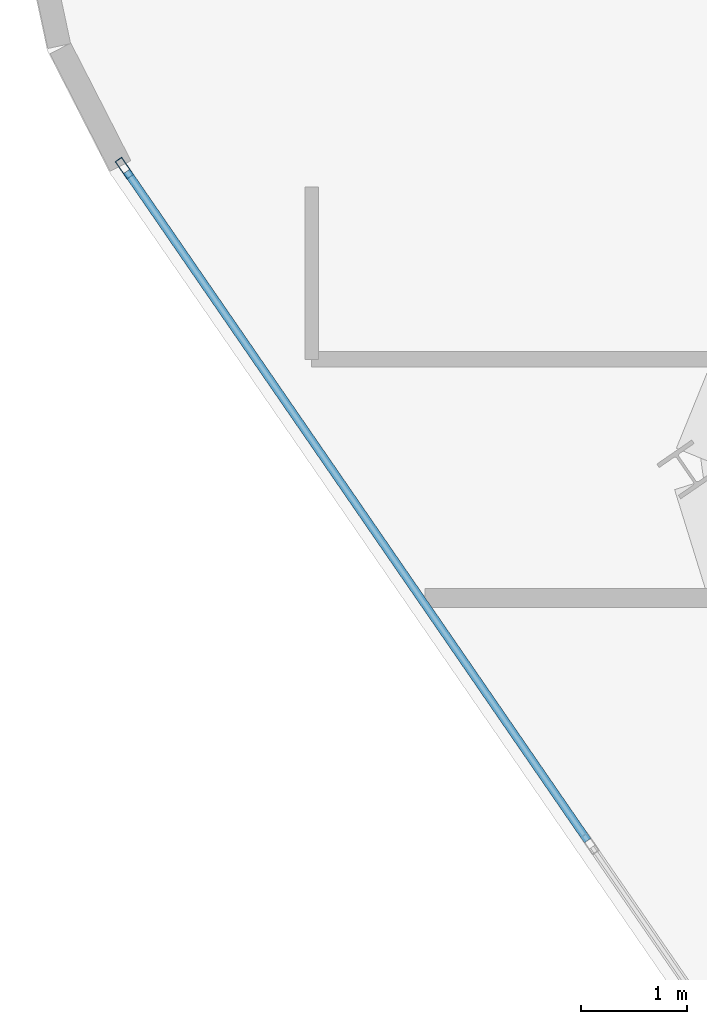
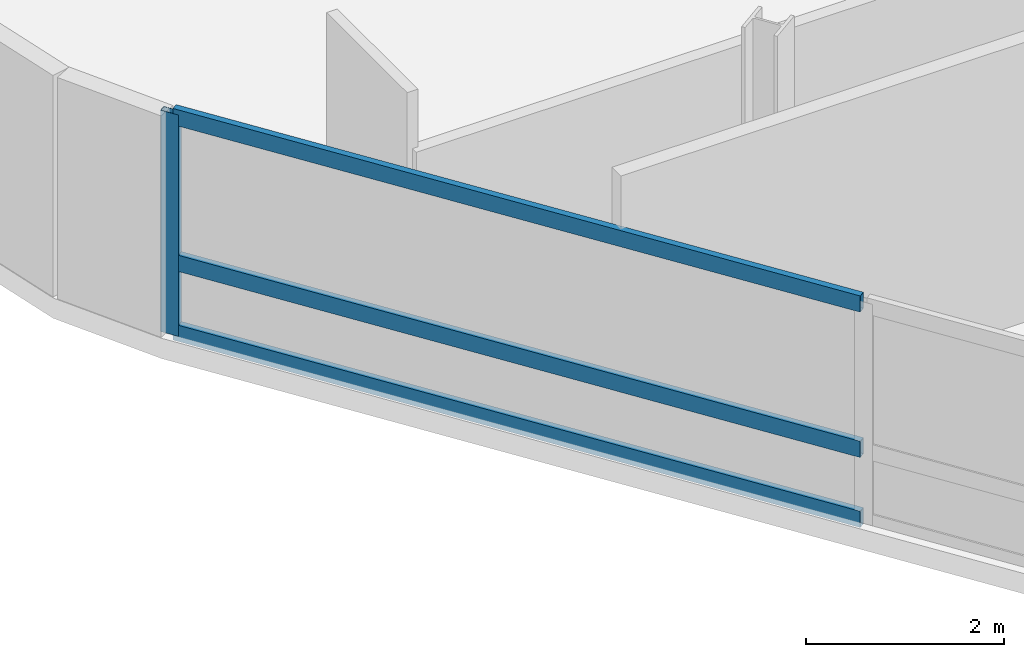
# One storey, part 6 of 21: 4 members, 1 element without a shape of its own.
"""IFC4 building model written with IfcOpenShell, lengths in metres."""

import ifcopenshell
import ifcopenshell.guid

model = None  # the IFC model being written
_history = None  # IfcOwnerHistory: only IFC2X3 demands one
_inside = {}  # id of a spatial element -> (the spatial element, [elements in it])
_under = {}  # id of a project, library or spatial element -> (it, [spatial elements below it])
_declared = {}  # id of a project -> (the project, [libraries it declares])
_typed = {}  # id of a type object -> (the type object, [elements of that type])
_made_of = {}  # id of a material, layer set ... -> (it, [elements and type objects made of it])


def new_model(schema):
    """Start an empty IFC model of exactly this schema.

    Asked for "IFC4X3", IfcOpenShell would pick the latest addendum, in which some entities
    have other attributes; the version numbers below select the first issue.
    IFC2X3 requires an IfcOwnerHistory on every rooted entity: one is made here for all.
    """
    global model, _history
    if schema == "IFC4X3":
        model = ifcopenshell.file(schema_version=(4, 3, 0, 0))
    else:
        model = ifcopenshell.file(schema=schema)
    _inside.clear()
    _under.clear()
    _declared.clear()
    _typed.clear()
    _made_of.clear()
    _history = None
    if model.schema == "IFC2X3":
        org = make("IfcOrganization", Name="unknown")
        user = make(
            "IfcPersonAndOrganization",
            ThePerson=make("IfcPerson", FamilyName="unknown"),
            TheOrganization=org,
        )
        app = make(
            "IfcApplication",
            ApplicationDeveloper=org,
            Version="unknown",
            ApplicationFullName="unknown",
            ApplicationIdentifier="unknown",
        )
        _history = make(
            "IfcOwnerHistory",
            OwningUser=user,
            OwningApplication=app,
            ChangeAction="ADDED",
            CreationDate=0,
        )
    return model


def make(cls, **values):
    """One entity of the class cls with the attributes given. An attribute that is None is left unset."""
    return model.create_entity(
        cls, **{name: value for name, value in values.items() if value is not None}
    )


def rooted(cls, **values):
    """An entity with a GlobalId (a new one), such as an element, a storey or a relation."""
    return make(cls, GlobalId=ifcopenshell.guid.new(), OwnerHistory=_history, **values)


def si_unit(unit_type, name, prefix=None):
    """IfcSIUnit, for example si_unit("LENGTHUNIT", "METRE", prefix="MILLI")."""
    return make("IfcSIUnit", UnitType=unit_type, Prefix=prefix, Name=name)


def assignment(units):
    """IfcUnitAssignment: the units of a project."""
    return None if units is None else make("IfcUnitAssignment", Units=units)


def point(xyz):
    """IfcCartesianPoint."""
    return None if xyz is None else make("IfcCartesianPoint", Coordinates=xyz)


def direction(xyz):
    """IfcDirection."""
    return None if xyz is None else make("IfcDirection", DirectionRatios=xyz)


def frame(location, z_axis=None, x_axis=None):
    """IfcAxis2Placement3D, a coordinate frame: its origin and axes. An axis left out is left unset."""
    return make(
        "IfcAxis2Placement3D",
        Location=point(location),
        Axis=direction(z_axis),
        RefDirection=direction(x_axis),
    )


def frame_2d(location, x_axis=None):
    """IfcAxis2Placement2D, a coordinate frame in the plane: its origin and x axis."""
    return make(
        "IfcAxis2Placement2D", Location=point(location), RefDirection=direction(x_axis)
    )


def origin():
    """The frame at (0, 0, 0) with its axes left unset."""
    return frame((0.0, 0.0, 0.0))


def origin_2d():
    """The frame at (0, 0) in the plane with its x axis left unset."""
    return frame_2d((0.0, 0.0))


def place(relative_to, where):
    """IfcLocalPlacement: puts the frame where relative to a parent placement (None: the world)."""
    return make(
        "IfcLocalPlacement", PlacementRelTo=relative_to, RelativePlacement=where
    )


def context(
    kind, dimensions, precision=None, world=None, true_north=None, identifier=None
):
    """IfcGeometricRepresentationContext, for example the 3D "Model" context."""
    return make(
        "IfcGeometricRepresentationContext",
        ContextIdentifier=identifier,
        ContextType=kind,
        CoordinateSpaceDimension=dimensions,
        Precision=precision,
        WorldCoordinateSystem=world,
        TrueNorth=true_north,
    )


def subcontext(parent, identifier, kind, view, scale=None):
    """IfcGeometricRepresentationSubContext, for example "Body" below "Model"."""
    return make(
        "IfcGeometricRepresentationSubContext",
        ContextIdentifier=identifier,
        ContextType=kind,
        ParentContext=parent,
        TargetScale=scale,
        TargetView=view,
    )


def project(units=None, contexts=None):
    """IfcProject with its units and contexts."""
    return rooted(
        "IfcProject",
        Name="project",
        RepresentationContexts=contexts,
        UnitsInContext=assignment(units),
    )


def spatial(cls, under=None, at=None, **own):
    """A site, building, storey or space (cls), placed at a placement, below another one or the project."""
    s = rooted(cls, ObjectPlacement=at, **own)
    if under is not None:
        _under.setdefault(under.id(), (under, []))[1].append(s)
    return s


def profile(cls, at=None, kind="AREA", **sizes):
    """A parametric profile (cls). Its sizes go by their IFC names, for example OverallWidth=200.0."""
    return make(cls, ProfileType=kind, Position=at, **sizes)


def hollow_rectangle(**sizes):
    """IfcRectangleHollowProfileDef."""
    return profile("IfcRectangleHollowProfileDef", **sizes)


def extrude(swept, where, along, depth):
    """IfcExtrudedAreaSolid: the profile swept, set in the frame where, extruded along a direction by depth."""
    return make(
        "IfcExtrudedAreaSolid",
        SweptArea=swept,
        Position=where,
        ExtrudedDirection=direction(along),
        Depth=depth,
    )


def shape(context_of_items, identifier, shape_type, items):
    """IfcShapeRepresentation: the items that make up one representation, for example the "Body"."""
    return make(
        "IfcShapeRepresentation",
        ContextOfItems=context_of_items,
        RepresentationIdentifier=identifier,
        RepresentationType=shape_type,
        Items=items,
    )


def material(Name=None, Category=None):
    """IfcMaterial."""
    return make("IfcMaterial", Name=Name, Category=Category)


def layer(
    of_material, thickness, ventilated=None, Name=None, Category=None, Priority=None
):
    """IfcMaterialLayer: one layer of a wall or slab, of a material (None: an air gap)."""
    return make(
        "IfcMaterialLayer",
        Material=of_material,
        LayerThickness=thickness,
        IsVentilated=ventilated,
        Name=Name,
        Category=Category,
        Priority=Priority,
    )


def layer_set(layers, Name=None):
    """IfcMaterialLayerSet."""
    return make("IfcMaterialLayerSet", MaterialLayers=layers, LayerSetName=Name)


def material_profile(
    of_material, cross_section, Name=None, Category=None, Priority=None
):
    """IfcMaterialProfile: a cross section and its material."""
    return make(
        "IfcMaterialProfile",
        Name=Name,
        Material=of_material,
        Profile=cross_section,
        Priority=Priority,
        Category=Category,
    )


def profile_set(profiles, Name=None, composite=None):
    """IfcMaterialProfileSet."""
    return make(
        "IfcMaterialProfileSet",
        Name=Name,
        MaterialProfiles=profiles,
        CompositeProfile=composite,
    )


def made_of(thing, what):
    """Note that an element or type object is made of a material, layer set ...; save() writes the relation."""
    if what is not None:
        _made_of.setdefault(what.id(), (what, []))[1].append(thing)
    return thing


def type_object(cls, material=None, **own):
    """A type object (cls), such as IfcWallType, which elements share."""
    return made_of(rooted(cls, **own), material)


def element(
    cls,
    number,
    at=None,
    inside=None,
    cuts=None,
    type_object=None,
    material=None,
    context=None,
    identifier="Body",
    shape_type=None,
    held_by="IfcProductDefinitionShape",
    body=None,
    shapes=None,
    **own,
):
    """One element of the class cls, such as IfcWall. Its Tag is "e" and its number.

    at: its placement. inside: the storey or other place that contains it. cuts: it is an
    opening in that element (IfcRelVoidsElement). A single representation is given by context,
    identifier, shape_type and body (its items); several are given by shapes. held_by: the class
    of the entity that holds the representations. save() writes the other relations.
    """
    e = rooted(cls, Tag="e%d" % number, ObjectPlacement=at, **own)
    if body is not None:
        shapes = [shape(context, identifier, shape_type, body)]
    if shapes is not None:
        e.Representation = make(held_by, Representations=shapes)
    if inside is not None:
        _inside.setdefault(inside.id(), (inside, []))[1].append(e)
    if cuts is not None:
        rooted(
            "IfcRelVoidsElement", RelatingBuildingElement=cuts, RelatedOpeningElement=e
        )
    if type_object is not None:
        _typed.setdefault(type_object.id(), (type_object, []))[1].append(e)
    return made_of(e, material)


def aggregate(whole, parts):
    """IfcRelAggregates: a whole, such as a stair, and the parts it consists of."""
    return rooted("IfcRelAggregates", RelatingObject=whole, RelatedObjects=parts)


def save(model, path):
    """Write the relations noted so far, then the file.

    IfcRelAggregates (storeys below a building ...), IfcRelContainedInSpatialStructure (elements
    in a storey), IfcRelDefinesByType, IfcRelAssociatesMaterial and IfcRelDeclares: one each for
    every whole, place, type object, material and project.
    """
    for whole, parts in _under.values():
        aggregate(whole, parts)
    for where, things in _inside.values():
        rooted(
            "IfcRelContainedInSpatialStructure",
            RelatedElements=things,
            RelatingStructure=where,
        )
    for kind, things in _typed.values():
        rooted("IfcRelDefinesByType", RelatedObjects=things, RelatingType=kind)
    for what, things in _made_of.values():
        rooted("IfcRelAssociatesMaterial", RelatedObjects=things, RelatingMaterial=what)
    for by, libraries in _declared.values():
        rooted("IfcRelDeclares", RelatingContext=by, RelatedDefinitions=libraries)
    model.write(path)


model = new_model("IFC4")

# Units and contexts
model_context = context("Model", 3, precision=1e-05, world=origin(), true_north=direction((0.0, 1.0)))
body_context = subcontext(model_context, "Body", "Model", "MODEL_VIEW")
ifc_project = project(units=[si_unit("LENGTHUNIT", "METRE"), si_unit("AREAUNIT", "SQUARE_METRE"), si_unit("VOLUMEUNIT", "CUBIC_METRE"), si_unit("PLANEANGLEUNIT", "RADIAN"), si_unit("MASSUNIT", "GRAM", prefix="KILO")], contexts=[model_context])

# Site, building, storey
site_placement = place(None, origin())
site = spatial("IfcSite", under=ifc_project, at=site_placement, CompositionType="ELEMENT")
building_placement = place(site_placement, origin())
building = spatial("IfcBuilding", under=site, at=building_placement, Name="Varnelok Gate Tower", CompositionType="ELEMENT")
storey_placement = place(building_placement, frame((0.0, 0.0, 261.89990234375)))
storey = spatial("IfcBuildingStorey", under=building, at=storey_placement, Name="L67", CompositionType="ELEMENT", Elevation=261.89990234375)

# Curtain wall, members
ifc_material = material(Name="Anodized Aluminum Alloy 6063-T6", Category="aluminium")
ifc_layer = layer(ifc_material, 0.179931640625)
ifc_layer_set = layer_set([ifc_layer], Name="Anodized Aluminum Alloy 6063-T6")
curtain_wall_type = type_object("IfcCurtainWallType", Name="CW4-RESIDENCE-VISION", PredefinedType="USERDEFINED", material=ifc_layer_set)
curtain_wall_placement = place(storey_placement, origin())
curtain_wall = element("IfcCurtainWall", 1, at=curtain_wall_placement, inside=storey, type_object=curtain_wall_type, Name="L67 West End Vision Curtain Wall", ObjectType="UNITISED CURTAIN WALL", PredefinedType="USERDEFINED")
ifc_material_profile_1 = material_profile(ifc_material, hollow_rectangle(XDim=0.074951171875, YDim=0.199951171875, WallThickness=0.00390625, at=origin_2d()), Name="ALU200X75X4")
ifc_profile_set_1 = profile_set([ifc_material_profile_1], Name="Anodized Aluminum Alloy 6063-T6")
member_type_1 = type_object("IfcMemberType", Name="CW-MULL-200", PredefinedType="MULLION", material=ifc_profile_set_1)
member_1_placement = place(storey_placement, frame((3.228271484375, 19.4189453125, 0.0), z_axis=(0.0, 0.0, 1.0), x_axis=(-0.823532290241, -0.567269395376, 0.0)))
member_1 = element("IfcMember", 2, at=member_1_placement, type_object=member_type_1, Name="CW4 mullion 5", PredefinedType="MULLION", context=body_context, shape_type="SweptSolid", body=[
    extrude(hollow_rectangle(XDim=0.074951171875, YDim=0.199951171875, WallThickness=0.00390625, at=origin_2d()), origin(), (0.0, 0.0, 1.0), 2.72998046875),
])
ifc_material_profile_2 = material_profile(ifc_material, hollow_rectangle(XDim=0.074951171875, YDim=0.199951171875, WallThickness=0.00390625, at=origin_2d()), Name="ALU200X75X4")
ifc_profile_set_2 = profile_set([ifc_material_profile_2], Name="Anodized Aluminum Alloy 6063-T6")
member_type_2 = type_object("IfcMemberType", Name="CW-TRAN-200", PredefinedType="USERDEFINED", material=ifc_profile_set_2)
member_2_placement = place(storey_placement, frame((7.6103515625, 13.05712890625, 0.03759765625), z_axis=(-0.567256418128, 0.82354122914, 0.0), x_axis=(-0.82354122914, -0.567256418128, 0.0)))
member_2 = element("IfcMember", 3, at=member_2_placement, type_object=member_type_2, Name="CW4 transom 4.1", ObjectType="TRANSOM", PredefinedType="USERDEFINED", context=body_context, shape_type="SweptSolid", body=[
    extrude(hollow_rectangle(XDim=0.074951171875, YDim=0.199951171875, WallThickness=0.00390625, at=origin_2d()), origin(), (0.0, 0.0, 1.0), 7.6875),
])
member_3_placement = place(storey_placement, frame((7.6103515625, 13.05712890625, 0.900146484375), z_axis=(-0.567256418128, 0.82354122914, 0.0), x_axis=(-0.82354122914, -0.567256418128, 0.0)))
member_3 = element("IfcMember", 4, at=member_3_placement, type_object=member_type_2, Name="CW4 transom 4.2", ObjectType="TRANSOM", PredefinedType="USERDEFINED", context=body_context, shape_type="SweptSolid", body=[
    extrude(hollow_rectangle(XDim=0.074951171875, YDim=0.199951171875, WallThickness=0.00390625, at=origin_2d()), origin(), (0.0, 0.0, 1.0), 7.6875),
])
member_4_placement = place(storey_placement, frame((7.6103515625, 13.05712890625, 2.692626953125), z_axis=(-0.567256418128, 0.82354122914, 0.0), x_axis=(-0.82354122914, -0.567256418128, 0.0)))
member_4 = element("IfcMember", 5, at=member_4_placement, type_object=member_type_2, Name="CW4 transom 4.3", ObjectType="TRANSOM", PredefinedType="USERDEFINED", context=body_context, shape_type="SweptSolid", body=[
    extrude(hollow_rectangle(XDim=0.074951171875, YDim=0.199951171875, WallThickness=0.00390625, at=origin_2d()), origin(), (0.0, 0.0, 1.0), 7.6875),
])
aggregate(curtain_wall, [member_1, member_2, member_3, member_4])

save(model, "model.ifc")
